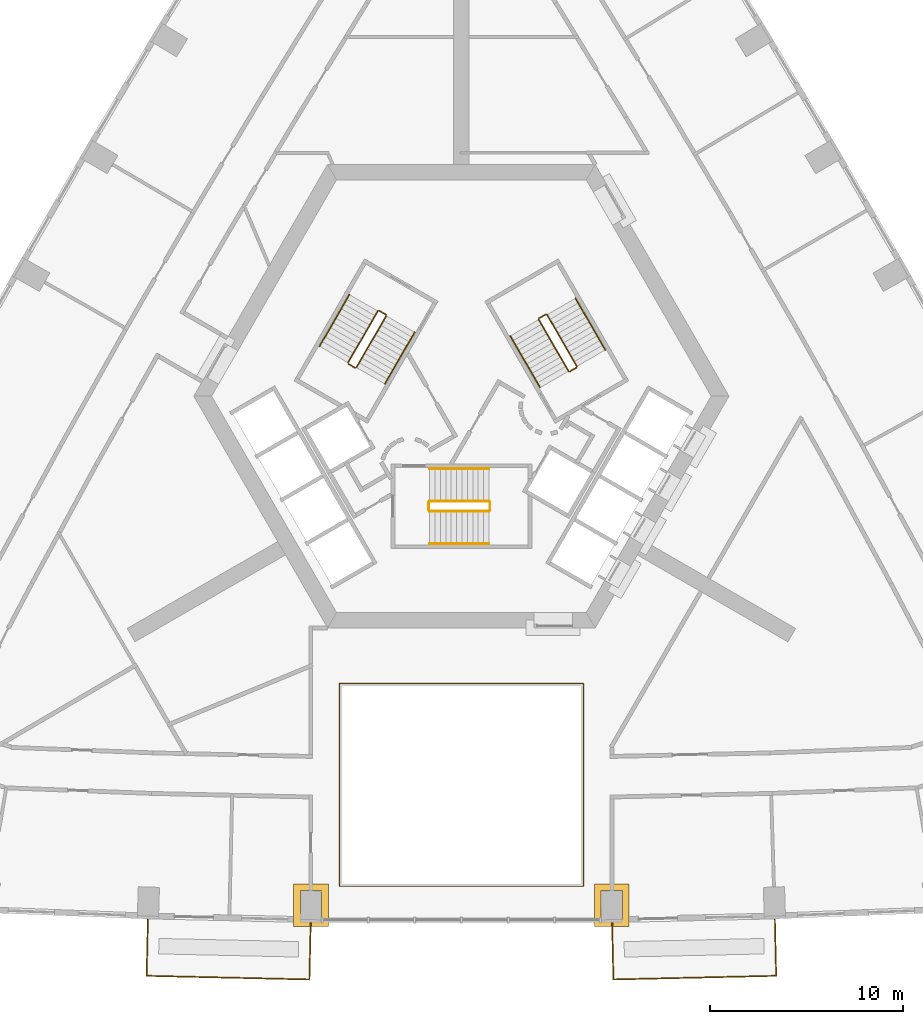
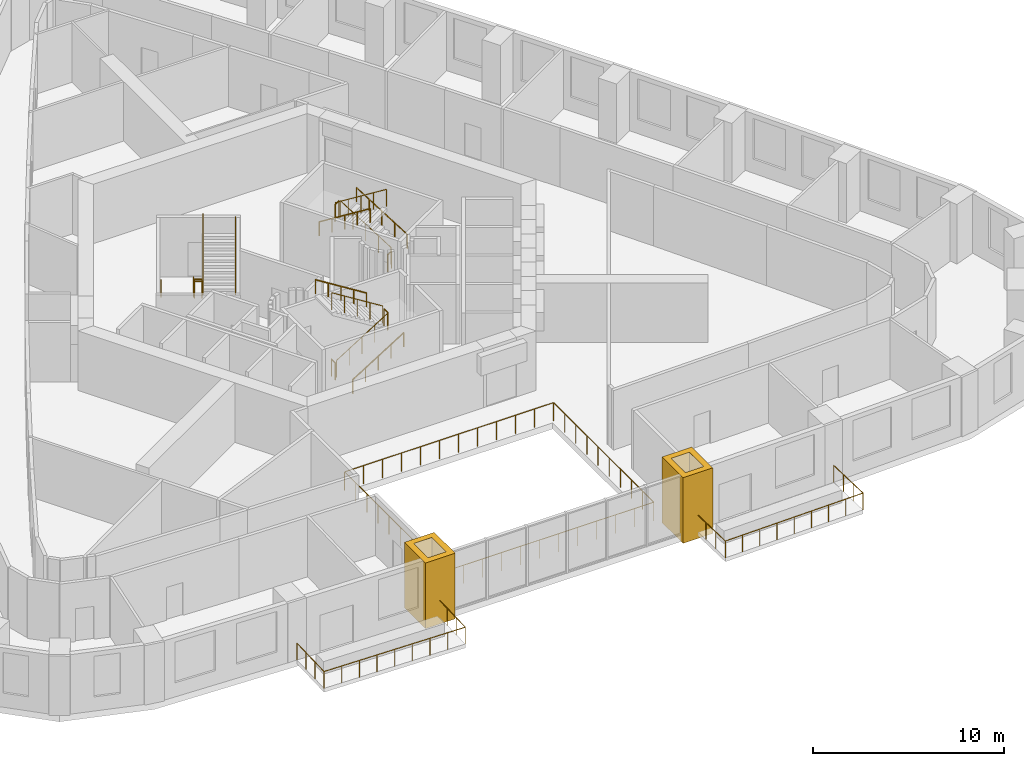
# One storey, part 12 of 12: 21 railings, 2 coverings.
"""IFC4 building model written with IfcOpenShell, lengths in metres."""

from ifc_helpers import new_model, si_unit, direction, frame, origin, origin_2d, place, context, subcontext, project, spatial, polyline, circle, outline, extrude, material, type_object, element, save


model = new_model("IFC4")

# Units and contexts
model_context = context("Model", 3, precision=1e-05, world=origin(), true_north=direction((0.0, 1.0)))
body_context = subcontext(model_context, "Body", "Model", "MODEL_VIEW")
ifc_project = project(units=[si_unit("LENGTHUNIT", "METRE"), si_unit("AREAUNIT", "SQUARE_METRE"), si_unit("VOLUMEUNIT", "CUBIC_METRE"), si_unit("PLANEANGLEUNIT", "RADIAN"), si_unit("MASSUNIT", "GRAM", prefix="KILO")], contexts=[model_context])

# Site, building, storey
site_placement = place(None, origin())
site = spatial("IfcSite", under=ifc_project, at=site_placement, CompositionType="ELEMENT")
building_placement = place(site_placement, origin())
building = spatial("IfcBuilding", under=site, at=building_placement, Name="Entoto Arch Interchange Tower", CompositionType="ELEMENT")
storey_placement = place(building_placement, frame((0.0, 0.0, 155.0)))
storey = spatial("IfcBuildingStorey", under=building, at=storey_placement, Name="L34", CompositionType="ELEMENT", Elevation=155.0)

# Railings
ifc_material_1 = material(Name="Stainless steel 1.4301", Category="steel")
railing_type_1 = type_object("IfcRailingType", Name="ATRIUM GUARD 1200 STEEL AND GLASS", PredefinedType="GUARDRAIL", material=ifc_material_1)
railing_1_placement = place(storey_placement, frame((6.320068359375, -22.876953125, 0.0)))
element("IfcRailing", 1, at=railing_1_placement, inside=storey, type_object=railing_type_1, Name="Atrium guard L34", PredefinedType="GUARDRAIL", context=body_context, shape_type="SweptSolid", body=[
    extrude(circle(Radius=0.02392578125, at=origin_2d()), frame((0.0, 0.0, 1.17578125), z_axis=(-1.0, 0.0, 0.0), x_axis=(0.0, -1.0, 0.0)), (0.0, 0.0, 1.0), 12.64013671875),
    extrude(circle(Radius=0.02392578125, at=origin_2d()), frame((-12.64013671875, 0.0, 1.17578125), z_axis=(0.0, 1.0, 0.0), x_axis=(-1.0, 0.0, 0.0)), (0.0, 0.0, 1.0), 10.4970703125),
    extrude(circle(Radius=0.02392578125, at=origin_2d()), frame((-12.64013671875, 10.4970703125, 1.17578125), z_axis=(1.0, 0.0, 0.0), x_axis=(0.0, 1.0, 0.0)), (0.0, 0.0, 1.0), 12.64013671875),
    extrude(circle(Radius=0.02392578125, at=origin_2d()), frame((0.0, 10.4970703125, 1.17578125), z_axis=(0.0, -1.0, 0.0), x_axis=(1.0, 0.0, 0.0)), (0.0, 0.0, 1.0), 10.4970703125),
    extrude(circle(Radius=0.02099609375, at=origin_2d()), origin(), (0.0, 0.0, 1.0), 1.15185546875),
    extrude(circle(Radius=0.02099609375, at=origin_2d()), frame((-1.149169921875, 0.0, 0.0)), (0.0, 0.0, 1.0), 1.15185546875),
    extrude(circle(Radius=0.02099609375, at=origin_2d()), frame((-2.298095703125, 0.0, 0.0)), (0.0, 0.0, 1.0), 1.15185546875),
    extrude(circle(Radius=0.02099609375, at=origin_2d()), frame((-3.447265625, 0.0, 0.0)), (0.0, 0.0, 1.0), 1.15185546875),
    extrude(circle(Radius=0.02099609375, at=origin_2d()), frame((-4.596435546875, 0.0, 0.0)), (0.0, 0.0, 1.0), 1.15185546875),
    extrude(circle(Radius=0.02099609375, at=origin_2d()), frame((-5.74560546875, 0.0, 0.0)), (0.0, 0.0, 1.0), 1.15185546875),
    extrude(circle(Radius=0.02099609375, at=origin_2d()), frame((-6.89453125, 0.0, 0.0)), (0.0, 0.0, 1.0), 1.15185546875),
    extrude(circle(Radius=0.02099609375, at=origin_2d()), frame((-8.043701171875, 0.0, 0.0)), (0.0, 0.0, 1.0), 1.15185546875),
    extrude(circle(Radius=0.02099609375, at=origin_2d()), frame((-9.19287109375, 0.0, 0.0)), (0.0, 0.0, 1.0), 1.15185546875),
    extrude(circle(Radius=0.02099609375, at=origin_2d()), frame((-10.342041015625, 0.0, 0.0)), (0.0, 0.0, 1.0), 1.15185546875),
    extrude(circle(Radius=0.02099609375, at=origin_2d()), frame((-11.490966796875, 0.0, 0.0)), (0.0, 0.0, 1.0), 1.15185546875),
    extrude(circle(Radius=0.02099609375, at=origin_2d()), frame((-12.64013671875, 0.0, 0.0)), (0.0, 0.0, 1.0), 1.15185546875),
    extrude(circle(Radius=0.02099609375, at=origin_2d()), frame((-12.64013671875, 1.166259765625, 0.0)), (0.0, 0.0, 1.0), 1.15185546875),
    extrude(circle(Radius=0.02099609375, at=origin_2d()), frame((-12.64013671875, 2.332763671875, 0.0)), (0.0, 0.0, 1.0), 1.15185546875),
    extrude(circle(Radius=0.02099609375, at=origin_2d()), frame((-12.64013671875, 3.4990234375, 0.0)), (0.0, 0.0, 1.0), 1.15185546875),
    extrude(circle(Radius=0.02099609375, at=origin_2d()), frame((-12.64013671875, 4.665283203125, 0.0)), (0.0, 0.0, 1.0), 1.15185546875),
    extrude(circle(Radius=0.02099609375, at=origin_2d()), frame((-12.64013671875, 5.831787109375, 0.0)), (0.0, 0.0, 1.0), 1.15185546875),
    extrude(circle(Radius=0.02099609375, at=origin_2d()), frame((-12.64013671875, 6.998046875, 0.0)), (0.0, 0.0, 1.0), 1.15185546875),
    extrude(circle(Radius=0.02099609375, at=origin_2d()), frame((-12.64013671875, 8.164306640625, 0.0)), (0.0, 0.0, 1.0), 1.15185546875),
    extrude(circle(Radius=0.02099609375, at=origin_2d()), frame((-12.64013671875, 9.330810546875, 0.0)), (0.0, 0.0, 1.0), 1.15185546875),
    extrude(circle(Radius=0.02099609375, at=origin_2d()), frame((-12.64013671875, 10.4970703125, 0.0)), (0.0, 0.0, 1.0), 1.15185546875),
    extrude(circle(Radius=0.02099609375, at=origin_2d()), frame((-11.490966796875, 10.4970703125, 0.0)), (0.0, 0.0, 1.0), 1.15185546875),
    extrude(circle(Radius=0.02099609375, at=origin_2d()), frame((-10.342041015625, 10.4970703125, 0.0)), (0.0, 0.0, 1.0), 1.15185546875),
    extrude(circle(Radius=0.02099609375, at=origin_2d()), frame((-9.19287109375, 10.4970703125, 0.0)), (0.0, 0.0, 1.0), 1.15185546875),
    extrude(circle(Radius=0.02099609375, at=origin_2d()), frame((-8.043701171875, 10.4970703125, 0.0)), (0.0, 0.0, 1.0), 1.15185546875),
    extrude(circle(Radius=0.02099609375, at=origin_2d()), frame((-6.89453125, 10.4970703125, 0.0)), (0.0, 0.0, 1.0), 1.15185546875),
    extrude(circle(Radius=0.02099609375, at=origin_2d()), frame((-5.74560546875, 10.4970703125, 0.0)), (0.0, 0.0, 1.0), 1.15185546875),
    extrude(circle(Radius=0.02099609375, at=origin_2d()), frame((-4.596435546875, 10.4970703125, 0.0)), (0.0, 0.0, 1.0), 1.15185546875),
    extrude(circle(Radius=0.02099609375, at=origin_2d()), frame((-3.447265625, 10.4970703125, 0.0)), (0.0, 0.0, 1.0), 1.15185546875),
    extrude(circle(Radius=0.02099609375, at=origin_2d()), frame((-2.298095703125, 10.4970703125, 0.0)), (0.0, 0.0, 1.0), 1.15185546875),
    extrude(circle(Radius=0.02099609375, at=origin_2d()), frame((-1.149169921875, 10.4970703125, 0.0)), (0.0, 0.0, 1.0), 1.15185546875),
    extrude(circle(Radius=0.02099609375, at=origin_2d()), frame((0.0, 10.4970703125, 0.0)), (0.0, 0.0, 1.0), 1.15185546875),
    extrude(circle(Radius=0.02099609375, at=origin_2d()), frame((0.0, 9.330810546875, 0.0)), (0.0, 0.0, 1.0), 1.15185546875),
    extrude(circle(Radius=0.02099609375, at=origin_2d()), frame((0.0, 8.164306640625, 0.0)), (0.0, 0.0, 1.0), 1.15185546875),
    extrude(circle(Radius=0.02099609375, at=origin_2d()), frame((0.0, 6.998046875, 0.0)), (0.0, 0.0, 1.0), 1.15185546875),
    extrude(circle(Radius=0.02099609375, at=origin_2d()), frame((0.0, 5.831787109375, 0.0)), (0.0, 0.0, 1.0), 1.15185546875),
    extrude(circle(Radius=0.02099609375, at=origin_2d()), frame((0.0, 4.665283203125, 0.0)), (0.0, 0.0, 1.0), 1.15185546875),
    extrude(circle(Radius=0.02099609375, at=origin_2d()), frame((0.0, 3.4990234375, 0.0)), (0.0, 0.0, 1.0), 1.15185546875),
    extrude(circle(Radius=0.02099609375, at=origin_2d()), frame((0.0, 2.332763671875, 0.0)), (0.0, 0.0, 1.0), 1.15185546875),
    extrude(circle(Radius=0.02099609375, at=origin_2d()), frame((0.0, 1.166259765625, 0.0)), (0.0, 0.0, 1.0), 1.15185546875),
])
railing_type_2 = type_object("IfcRailingType", Name="GUARD 1100 STEEL AND GLASS", PredefinedType="GUARDRAIL", material=ifc_material_1)
railing_2_placement = place(storey_placement, frame((-16.23388671875, -24.56591796875, 0.0)))
element("IfcRailing", 2, at=railing_2_placement, inside=storey, type_object=railing_type_2, Name="Balcony guard S-02 L34", PredefinedType="GUARDRAIL", context=body_context, shape_type="SweptSolid", body=[
    extrude(circle(Radius=0.02392578125, at=origin_2d()), frame((0.0, 0.0, 1.076171875), z_axis=(-0.022760887308, -0.999740937448, 0.0), x_axis=(0.999740937448, -0.022760887308, 0.0)), (0.0, 0.0, 1.0), 2.94970703125),
    extrude(circle(Radius=0.02392578125, at=origin_2d()), frame((-0.067138671875, -2.948974609375, 1.076171875), z_axis=(0.999743238029, -0.022659611978, 0.0), x_axis=(0.022659611978, 0.999743238029, 0.0)), (0.0, 0.0, 1.0), 8.436279296875),
    extrude(circle(Radius=0.02392578125, at=origin_2d()), frame((8.366943359375, -3.14013671875, 1.076171875), z_axis=(0.02267816309, 0.999742817388, 0.0), x_axis=(-0.999742817388, 0.02267816309, 0.0)), (0.0, 0.0, 1.0), 2.94970703125),
    extrude(circle(Radius=0.02099609375, at=origin_2d()), origin(), (0.0, 0.0, 1.0), 1.052001953125),
    extrude(circle(Radius=0.02099609375, at=origin_2d()), frame((-0.0224609375, -0.98291015625, 0.0)), (0.0, 0.0, 1.0), 1.052001953125),
    extrude(circle(Radius=0.02099609375, at=origin_2d()), frame((-0.044677734375, -1.966064453125, 0.0)), (0.0, 0.0, 1.0), 1.052001953125),
    extrude(circle(Radius=0.02099609375, at=origin_2d()), frame((-0.067138671875, -2.948974609375, 0.0)), (0.0, 0.0, 1.0), 1.052001953125),
    extrude(circle(Radius=0.02099609375, at=origin_2d()), frame((0.987060546875, -2.972900390625, 0.0)), (0.0, 0.0, 1.0), 1.052001953125),
    extrude(circle(Radius=0.02099609375, at=origin_2d()), frame((2.04150390625, -2.996826171875, 0.0)), (0.0, 0.0, 1.0), 1.052001953125),
    extrude(circle(Radius=0.02099609375, at=origin_2d()), frame((3.095703125, -3.020751953125, 0.0)), (0.0, 0.0, 1.0), 1.052001953125),
    extrude(circle(Radius=0.02099609375, at=origin_2d()), frame((4.14990234375, -3.04443359375, 0.0)), (0.0, 0.0, 1.0), 1.052001953125),
    extrude(circle(Radius=0.02099609375, at=origin_2d()), frame((5.2041015625, -3.068359375, 0.0)), (0.0, 0.0, 1.0), 1.052001953125),
    extrude(circle(Radius=0.02099609375, at=origin_2d()), frame((6.25830078125, -3.09228515625, 0.0)), (0.0, 0.0, 1.0), 1.052001953125),
    extrude(circle(Radius=0.02099609375, at=origin_2d()), frame((7.312744140625, -3.1162109375, 0.0)), (0.0, 0.0, 1.0), 1.052001953125),
    extrude(circle(Radius=0.02099609375, at=origin_2d()), frame((8.366943359375, -3.14013671875, 0.0)), (0.0, 0.0, 1.0), 1.052001953125),
    extrude(circle(Radius=0.02099609375, at=origin_2d()), frame((8.38916015625, -2.1572265625, 0.0)), (0.0, 0.0, 1.0), 1.052001953125),
    extrude(circle(Radius=0.02099609375, at=origin_2d()), frame((8.41162109375, -1.174072265625, 0.0)), (0.0, 0.0, 1.0), 1.052001953125),
    extrude(circle(Radius=0.02099609375, at=origin_2d()), frame((8.433837890625, -0.191162109375, 0.0)), (0.0, 0.0, 1.0), 1.052001953125),
])
railing_3_placement = place(storey_placement, frame((7.800048828125, -24.757080078125, 0.0)))
element("IfcRailing", 3, at=railing_3_placement, inside=storey, type_object=railing_type_2, Name="Balcony guard S-04 L34", PredefinedType="GUARDRAIL", context=body_context, shape_type="SweptSolid", body=[
    extrude(circle(Radius=0.02392578125, at=origin_2d()), frame((0.0, 0.0, 1.076171875), z_axis=(0.02267816309, -0.999742817388, 0.0), x_axis=(0.999742817388, 0.02267816309, 0.0)), (0.0, 0.0, 1.0), 2.94970703125),
    extrude(circle(Radius=0.02392578125, at=origin_2d()), frame((0.06689453125, -2.948974609375, 1.076171875), z_axis=(0.999743238029, 0.022659611978, 0.0), x_axis=(-0.022659611978, 0.999743238029, 0.0)), (0.0, 0.0, 1.0), 8.436279296875),
    extrude(circle(Radius=0.02392578125, at=origin_2d()), frame((8.5009765625, -2.7578125, 1.076171875), z_axis=(-0.022760887308, 0.999740937448, 0.0), x_axis=(-0.999740937448, -0.022760887308, 0.0)), (0.0, 0.0, 1.0), 2.94970703125),
    extrude(circle(Radius=0.02099609375, at=origin_2d()), origin(), (0.0, 0.0, 1.0), 1.052001953125),
    extrude(circle(Radius=0.02099609375, at=origin_2d()), frame((0.022216796875, -0.98291015625, 0.0)), (0.0, 0.0, 1.0), 1.052001953125),
    extrude(circle(Radius=0.02099609375, at=origin_2d()), frame((0.044677734375, -1.966064453125, 0.0)), (0.0, 0.0, 1.0), 1.052001953125),
    extrude(circle(Radius=0.02099609375, at=origin_2d()), frame((0.06689453125, -2.948974609375, 0.0)), (0.0, 0.0, 1.0), 1.052001953125),
    extrude(circle(Radius=0.02099609375, at=origin_2d()), frame((1.12109375, -2.925048828125, 0.0)), (0.0, 0.0, 1.0), 1.052001953125),
    extrude(circle(Radius=0.02099609375, at=origin_2d()), frame((2.17529296875, -2.901123046875, 0.0)), (0.0, 0.0, 1.0), 1.052001953125),
    extrude(circle(Radius=0.02099609375, at=origin_2d()), frame((3.229736328125, -2.877197265625, 0.0)), (0.0, 0.0, 1.0), 1.052001953125),
    extrude(circle(Radius=0.02099609375, at=origin_2d()), frame((4.283935546875, -2.853515625, 0.0)), (0.0, 0.0, 1.0), 1.052001953125),
    extrude(circle(Radius=0.02099609375, at=origin_2d()), frame((5.338134765625, -2.82958984375, 0.0)), (0.0, 0.0, 1.0), 1.052001953125),
    extrude(circle(Radius=0.02099609375, at=origin_2d()), frame((6.392578125, -2.8056640625, 0.0)), (0.0, 0.0, 1.0), 1.052001953125),
    extrude(circle(Radius=0.02099609375, at=origin_2d()), frame((7.44677734375, -2.78173828125, 0.0)), (0.0, 0.0, 1.0), 1.052001953125),
    extrude(circle(Radius=0.02099609375, at=origin_2d()), frame((8.5009765625, -2.7578125, 0.0)), (0.0, 0.0, 1.0), 1.052001953125),
    extrude(circle(Radius=0.02099609375, at=origin_2d()), frame((8.478515625, -1.77490234375, 0.0)), (0.0, 0.0, 1.0), 1.052001953125),
    extrude(circle(Radius=0.02099609375, at=origin_2d()), frame((8.456298828125, -0.791748046875, 0.0)), (0.0, 0.0, 1.0), 1.052001953125),
    extrude(circle(Radius=0.02099609375, at=origin_2d()), frame((8.433837890625, 0.191162109375, 0.0)), (0.0, 0.0, 1.0), 1.052001953125),
])

# Coverings
ifc_material_2 = material(Name="Board-marked precast concrete C50/60", Category="concrete")
covering_type = type_object("IfcCoveringType", Name="PRECAST FRAME COURSE", PredefinedType="CLADDING", material=ifc_material_2)
covering_1_placement = place(storey_placement, frame((0.0, 0.0, -0.39990234375)))
element("IfcCovering", 4, at=covering_1_placement, inside=storey, type_object=covering_type, Name="Gate pier L34", PredefinedType="CLADDING", context=body_context, shape_type="SweptSolid", body=[
    extrude(outline(polyline([(-8.68896484375, -22.757080078125), (-6.888916015625, -22.757080078125), (-6.888916015625, -24.95703125), (-8.68896484375, -24.95703125), (-8.68896484375, -22.757080078125)]), holes=[polyline([(-8.339111328125, -23.10693359375), (-8.339111328125, -24.60693359375), (-7.239013671875, -24.60693359375), (-7.239013671875, -23.10693359375), (-8.339111328125, -23.10693359375)])]), origin(), (0.0, 0.0, 1.0), 4.199951171875),
])
covering_2_placement = place(storey_placement, frame((0.0, 0.0, -0.39990234375)))
element("IfcCovering", 5, at=covering_2_placement, inside=storey, type_object=covering_type, Name="Gate pier L34", PredefinedType="CLADDING", context=body_context, shape_type="SweptSolid", body=[
    extrude(outline(polyline([(6.888916015625, -22.757080078125), (8.68896484375, -22.757080078125), (8.68896484375, -24.95703125), (6.888916015625, -24.95703125), (6.888916015625, -22.757080078125)]), holes=[polyline([(7.239013671875, -23.10693359375), (7.239013671875, -24.60693359375), (8.339111328125, -24.60693359375), (8.339111328125, -23.10693359375), (7.239013671875, -23.10693359375)])]), origin(), (0.0, 0.0, 1.0), 4.199951171875),
])

# Railings
railing_type_3 = type_object("IfcRailingType", Name="STAIR GUARD 1100 STEEL", PredefinedType="GUARDRAIL", material=ifc_material_1)
railing_4_placement = place(storey_placement, frame((-1.64990234375, -3.449951171875, 0.175048828125)))
element("IfcRailing", 6, at=railing_4_placement, inside=storey, type_object=railing_type_3, Name="L34 ST-S stair guard 1", PredefinedType="GUARDRAIL", context=body_context, shape_type="SweptSolid", body=[
    extrude(circle(Radius=0.02392578125, at=origin_2d()), frame((0.0, 0.0, 1.076171875), z_axis=(0.847979421464, 0.0, 0.530029150871), x_axis=(0.0, 1.0, 0.0)), (0.0, 0.0, 1.0), 3.632080078125),
    extrude(circle(Radius=0.02099609375, at=origin_2d()), origin(), (0.0, 0.0, 1.0), 1.052001953125),
    extrude(circle(Radius=0.02099609375, at=origin_2d()), frame((0.77001953125, 0.0, 0.481201171875)), (0.0, 0.0, 1.0), 1.052001953125),
    extrude(circle(Radius=0.02099609375, at=origin_2d()), frame((1.5400390625, 0.0, 0.96240234375)), (0.0, 0.0, 1.0), 1.052001953125),
    extrude(circle(Radius=0.02099609375, at=origin_2d()), frame((2.309814453125, 0.0, 1.44384765625)), (0.0, 0.0, 1.0), 1.052001953125),
    extrude(circle(Radius=0.02099609375, at=origin_2d()), frame((3.079833984375, 0.0, 1.925048828125)), (0.0, 0.0, 1.0), 1.052001953125),
])
railing_5_placement = place(storey_placement, frame((1.47998046875, -3.39990234375, 2.10009765625)))
element("IfcRailing", 7, at=railing_5_placement, inside=storey, type_object=railing_type_3, Name="L34 ST-S stair guard 2", PredefinedType="GUARDRAIL", context=body_context, shape_type="SweptSolid", body=[
    extrude(circle(Radius=0.02392578125, at=origin_2d()), frame((0.0, 0.0, 1.076171875), z_axis=(0.0, 1.0, 0.0), x_axis=(-1.0, 0.0, 0.0)), (0.0, 0.0, 1.0), 0.39990234375),
    extrude(circle(Radius=0.02099609375, at=origin_2d()), origin(), (0.0, 0.0, 1.0), 1.052001953125),
    extrude(circle(Radius=0.02099609375, at=origin_2d()), frame((0.0, 0.39990234375, 0.0)), (0.0, 0.0, 1.0), 1.052001953125),
])
railing_6_placement = place(storey_placement, frame((1.429931640625, -2.949951171875, 2.27490234375)))
element("IfcRailing", 8, at=railing_6_placement, inside=storey, type_object=railing_type_3, Name="L34 ST-S stair guard 3", PredefinedType="GUARDRAIL", context=body_context, shape_type="SweptSolid", body=[
    extrude(circle(Radius=0.02392578125, at=origin_2d()), frame((0.0, 0.0, 1.076171875), z_axis=(-0.847979421464, 0.0, 0.530029150871), x_axis=(0.0, -1.0, 0.0)), (0.0, 0.0, 1.0), 3.632080078125),
    extrude(circle(Radius=0.02099609375, at=origin_2d()), origin(), (0.0, 0.0, 1.0), 1.052001953125),
    extrude(circle(Radius=0.02099609375, at=origin_2d()), frame((-0.77001953125, 0.0, 0.481201171875)), (0.0, 0.0, 1.0), 1.052001953125),
    extrude(circle(Radius=0.02099609375, at=origin_2d()), frame((-1.5400390625, 0.0, 0.96240234375)), (0.0, 0.0, 1.0), 1.052001953125),
    extrude(circle(Radius=0.02099609375, at=origin_2d()), frame((-2.309814453125, 0.0, 1.44384765625)), (0.0, 0.0, 1.0), 1.052001953125),
    extrude(circle(Radius=0.02099609375, at=origin_2d()), frame((-3.079833984375, 0.0, 1.925048828125)), (0.0, 0.0, 1.0), 1.052001953125),
])
railing_7_placement = place(storey_placement, frame((-1.699951171875, -3.39990234375, 0.0)))
element("IfcRailing", 9, at=railing_7_placement, inside=storey, type_object=railing_type_3, Name="L34 ST-S stair guard 4", PredefinedType="GUARDRAIL", context=body_context, shape_type="SweptSolid", body=[
    extrude(circle(Radius=0.02392578125, at=origin_2d()), frame((0.0, 0.0, 1.076171875), z_axis=(0.0, 1.0, 0.0), x_axis=(-1.0, 0.0, 0.0)), (0.0, 0.0, 1.0), 0.39990234375),
    extrude(circle(Radius=0.02099609375, at=origin_2d()), origin(), (0.0, 0.0, 1.0), 1.052001953125),
    extrude(circle(Radius=0.02099609375, at=origin_2d()), frame((0.0, 0.39990234375, 0.0)), (0.0, 0.0, 1.0), 1.052001953125),
])
railing_8_placement = place(storey_placement, frame((5.977783203125, 4.046142578125, 0.175048828125)))
element("IfcRailing", 10, at=railing_8_placement, inside=storey, type_object=railing_type_3, Name="L34 ST-NE stair guard 1", PredefinedType="GUARDRAIL", context=body_context, shape_type="SweptSolid", body=[
    extrude(circle(Radius=0.02392578125, at=origin_2d()), frame((0.0, 0.0, 1.076171875), z_axis=(-0.424015404183, 0.734364028329, 0.530019255228), x_axis=(-0.866010015463, -0.500026652407, 0.0)), (0.0, 0.0, 1.0), 3.632080078125),
    extrude(circle(Radius=0.02099609375, at=origin_2d()), origin(), (0.0, 0.0, 1.0), 1.052001953125),
    extrude(circle(Radius=0.02099609375, at=origin_2d()), frame((-0.385009765625, 0.666748046875, 0.481201171875)), (0.0, 0.0, 1.0), 1.052001953125),
    extrude(circle(Radius=0.02099609375, at=origin_2d()), frame((-0.77001953125, 1.33349609375, 0.96240234375)), (0.0, 0.0, 1.0), 1.052001953125),
    extrude(circle(Radius=0.02099609375, at=origin_2d()), frame((-1.155029296875, 2.00048828125, 1.44384765625)), (0.0, 0.0, 1.0), 1.052001953125),
    extrude(circle(Radius=0.02099609375, at=origin_2d()), frame((-1.5400390625, 2.667236328125, 1.925048828125)), (0.0, 0.0, 1.0), 1.052001953125),
])
railing_9_placement = place(storey_placement, frame((4.36962890625, 6.731689453125, 2.10009765625)))
element("IfcRailing", 11, at=railing_9_placement, inside=storey, type_object=railing_type_3, Name="L34 ST-NE stair guard 2", PredefinedType="GUARDRAIL", context=body_context, shape_type="SweptSolid", body=[
    extrude(circle(Radius=0.02392578125, at=origin_2d()), frame((0.0, 0.0, 1.076171875), z_axis=(-0.866094119867, -0.499880961361, 0.0), x_axis=(0.499880961361, -0.866094119867, 0.0)), (0.0, 0.0, 1.0), 0.39990234375),
    extrude(circle(Radius=0.02099609375, at=origin_2d()), origin(), (0.0, 0.0, 1.0), 1.052001953125),
    extrude(circle(Radius=0.02099609375, at=origin_2d()), frame((-0.346435546875, -0.199951171875, 0.0)), (0.0, 0.0, 1.0), 1.052001953125),
])
railing_10_placement = place(storey_placement, frame((4.0048828125, 6.46337890625, 2.27490234375)))
element("IfcRailing", 12, at=railing_10_placement, inside=storey, type_object=railing_type_3, Name="L34 ST-NE stair guard 3", PredefinedType="GUARDRAIL", context=body_context, shape_type="SweptSolid", body=[
    extrude(circle(Radius=0.02392578125, at=origin_2d()), frame((0.0, 0.0, 1.076171875), z_axis=(0.424015404183, -0.734364028329, 0.530019255228), x_axis=(0.866010015463, 0.500026652407, 0.0)), (0.0, 0.0, 1.0), 3.632080078125),
    extrude(circle(Radius=0.02099609375, at=origin_2d()), origin(), (0.0, 0.0, 1.0), 1.052001953125),
    extrude(circle(Radius=0.02099609375, at=origin_2d()), frame((0.385009765625, -0.666748046875, 0.481201171875)), (0.0, 0.0, 1.0), 1.052001953125),
    extrude(circle(Radius=0.02099609375, at=origin_2d()), frame((0.77001953125, -1.33349609375, 0.96240234375)), (0.0, 0.0, 1.0), 1.052001953125),
    extrude(circle(Radius=0.02099609375, at=origin_2d()), frame((1.155029296875, -2.00048828125, 1.44384765625)), (0.0, 0.0, 1.0), 1.052001953125),
    extrude(circle(Radius=0.02099609375, at=origin_2d()), frame((1.5400390625, -2.667236328125, 1.925048828125)), (0.0, 0.0, 1.0), 1.052001953125),
])
railing_11_placement = place(storey_placement, frame((5.95947265625, 3.977783203125, 0.0)))
element("IfcRailing", 13, at=railing_11_placement, inside=storey, type_object=railing_type_3, Name="L34 ST-NE stair guard 4", PredefinedType="GUARDRAIL", context=body_context, shape_type="SweptSolid", body=[
    extrude(circle(Radius=0.02392578125, at=origin_2d()), frame((0.0, 0.0, 1.076171875), z_axis=(-0.866094119867, -0.499880961361, 0.0), x_axis=(0.499880961361, -0.866094119867, 0.0)), (0.0, 0.0, 1.0), 0.39990234375),
    extrude(circle(Radius=0.02099609375, at=origin_2d()), origin(), (0.0, 0.0, 1.0), 1.052001953125),
    extrude(circle(Radius=0.02099609375, at=origin_2d()), frame((-0.346435546875, -0.199951171875, 0.0)), (0.0, 0.0, 1.0), 1.052001953125),
])
railing_12_placement = place(storey_placement, frame((-4.327880859375, 6.904052734375, 0.175048828125)))
element("IfcRailing", 14, at=railing_12_placement, inside=storey, type_object=railing_type_3, Name="L34 ST-NW stair guard 1", PredefinedType="GUARDRAIL", context=body_context, shape_type="SweptSolid", body=[
    extrude(circle(Radius=0.02392578125, at=origin_2d()), frame((0.0, 0.0, 1.076171875), z_axis=(-0.423994474112, -0.734394994316, 0.52999309264), x_axis=(0.866029832698, -0.499992328818, 0.0)), (0.0, 0.0, 1.0), 3.63232421875),
    extrude(circle(Radius=0.02099609375, at=origin_2d()), origin(), (0.0, 0.0, 1.0), 1.052001953125),
    extrude(circle(Radius=0.02099609375, at=origin_2d()), frame((-0.385009765625, -0.6669921875, 0.481201171875)), (0.0, 0.0, 1.0), 1.052001953125),
    extrude(circle(Radius=0.02099609375, at=origin_2d()), frame((-0.77001953125, -1.333740234375, 0.96240234375)), (0.0, 0.0, 1.0), 1.052001953125),
    extrude(circle(Radius=0.02099609375, at=origin_2d()), frame((-1.155029296875, -2.00048828125, 1.44384765625)), (0.0, 0.0, 1.0), 1.052001953125),
    extrude(circle(Radius=0.02099609375, at=origin_2d()), frame((-1.5400390625, -2.66748046875, 1.925048828125)), (0.0, 0.0, 1.0), 1.052001953125),
])
railing_13_placement = place(storey_placement, frame((-5.849609375, 4.168212890625, 2.10009765625)))
element("IfcRailing", 15, at=railing_13_placement, inside=storey, type_object=railing_type_3, Name="L34 ST-NW stair guard 2", PredefinedType="GUARDRAIL", context=body_context, shape_type="SweptSolid", body=[
    extrude(circle(Radius=0.02392578125, at=origin_2d()), frame((0.0, 0.0, 1.076171875), z_axis=(0.866094119867, -0.499880961361, 0.0), x_axis=(0.499880961361, 0.866094119867, 0.0)), (0.0, 0.0, 1.0), 0.39990234375),
    extrude(circle(Radius=0.02099609375, at=origin_2d()), origin(), (0.0, 0.0, 1.0), 1.052001953125),
    extrude(circle(Radius=0.02099609375, at=origin_2d()), frame((0.346435546875, -0.199951171875, 0.0)), (0.0, 0.0, 1.0), 1.052001953125),
])
railing_14_placement = place(storey_placement, frame((-5.434814453125, 3.986572265625, 2.27490234375)))
element("IfcRailing", 16, at=railing_14_placement, inside=storey, type_object=railing_type_3, Name="L34 ST-NW stair guard 3", PredefinedType="GUARDRAIL", context=body_context, shape_type="SweptSolid", body=[
    extrude(circle(Radius=0.02392578125, at=origin_2d()), frame((0.0, 0.0, 1.076171875), z_axis=(0.423994474112, 0.734394994316, 0.52999309264), x_axis=(-0.866029832698, 0.499992328818, 0.0)), (0.0, 0.0, 1.0), 3.63232421875),
    extrude(circle(Radius=0.02099609375, at=origin_2d()), origin(), (0.0, 0.0, 1.0), 1.052001953125),
    extrude(circle(Radius=0.02099609375, at=origin_2d()), frame((0.385009765625, 0.6669921875, 0.481201171875)), (0.0, 0.0, 1.0), 1.052001953125),
    extrude(circle(Radius=0.02099609375, at=origin_2d()), frame((0.77001953125, 1.333740234375, 0.96240234375)), (0.0, 0.0, 1.0), 1.052001953125),
    extrude(circle(Radius=0.02099609375, at=origin_2d()), frame((1.155029296875, 2.00048828125, 1.44384765625)), (0.0, 0.0, 1.0), 1.052001953125),
    extrude(circle(Radius=0.02099609375, at=origin_2d()), frame((1.5400390625, 2.66748046875, 1.925048828125)), (0.0, 0.0, 1.0), 1.052001953125),
])
railing_15_placement = place(storey_placement, frame((-4.259521484375, 6.92236328125, 0.0)))
element("IfcRailing", 17, at=railing_15_placement, inside=storey, type_object=railing_type_3, Name="L34 ST-NW stair guard 4", PredefinedType="GUARDRAIL", context=body_context, shape_type="SweptSolid", body=[
    extrude(circle(Radius=0.02392578125, at=origin_2d()), frame((0.0, 0.0, 1.076171875), z_axis=(0.865829829939, -0.500338590944, 0.0), x_axis=(0.500338590944, 0.865829829939, 0.0)), (0.0, 0.0, 1.0), 0.400146484375),
    extrude(circle(Radius=0.02099609375, at=origin_2d()), origin(), (0.0, 0.0, 1.0), 1.052001953125),
    extrude(circle(Radius=0.02099609375, at=origin_2d()), frame((0.346435546875, -0.2001953125, 0.0)), (0.0, 0.0, 1.0), 1.052001953125),
])
railing_type_4 = type_object("IfcRailingType", Name="STAIR HANDRAIL 900 STEEL", PredefinedType="HANDRAIL", material=ifc_material_1)
railing_16_placement = place(storey_placement, frame((-1.64990234375, -5.14990234375, 0.175048828125)))
element("IfcRailing", 18, at=railing_16_placement, inside=storey, type_object=railing_type_4, Name="L34 ST-S stair handrail 1", PredefinedType="HANDRAIL", context=body_context, shape_type="SweptSolid", body=[
    extrude(circle(Radius=0.02392578125, at=origin_2d()), frame((0.0, 0.0, 0.8759765625), z_axis=(0.847979421464, 0.0, 0.530029150871), x_axis=(0.0, 1.0, 0.0)), (0.0, 0.0, 1.0), 3.632080078125),
    extrude(circle(Radius=0.02099609375, at=origin_2d()), origin(), (0.0, 0.0, 1.0), 0.851806640625),
    extrude(circle(Radius=0.02099609375, at=origin_2d()), frame((0.77001953125, 0.0, 0.481201171875)), (0.0, 0.0, 1.0), 0.851806640625),
    extrude(circle(Radius=0.02099609375, at=origin_2d()), frame((1.5400390625, 0.0, 0.96240234375)), (0.0, 0.0, 1.0), 0.851806640625),
    extrude(circle(Radius=0.02099609375, at=origin_2d()), frame((2.309814453125, 0.0, 1.44384765625)), (0.0, 0.0, 1.0), 0.851806640625),
    extrude(circle(Radius=0.02099609375, at=origin_2d()), frame((3.079833984375, 0.0, 1.925048828125)), (0.0, 0.0, 1.0), 0.851806640625),
])
railing_17_placement = place(storey_placement, frame((1.429931640625, -1.25, 2.27490234375)))
element("IfcRailing", 19, at=railing_17_placement, inside=storey, type_object=railing_type_4, Name="L34 ST-S stair handrail 2", PredefinedType="HANDRAIL", context=body_context, shape_type="SweptSolid", body=[
    extrude(circle(Radius=0.02392578125, at=origin_2d()), frame((0.0, 0.0, 0.8759765625), z_axis=(-0.847979421464, 0.0, 0.530029150871), x_axis=(0.0, -1.0, 0.0)), (0.0, 0.0, 1.0), 3.632080078125),
    extrude(circle(Radius=0.02099609375, at=origin_2d()), origin(), (0.0, 0.0, 1.0), 0.851806640625),
    extrude(circle(Radius=0.02099609375, at=origin_2d()), frame((-0.77001953125, 0.0, 0.481201171875)), (0.0, 0.0, 1.0), 0.851806640625),
    extrude(circle(Radius=0.02099609375, at=origin_2d()), frame((-1.5400390625, 0.0, 0.96240234375)), (0.0, 0.0, 1.0), 0.851806640625),
    extrude(circle(Radius=0.02099609375, at=origin_2d()), frame((-2.309814453125, 0.0, 1.44384765625)), (0.0, 0.0, 1.0), 0.851806640625),
    extrude(circle(Radius=0.02099609375, at=origin_2d()), frame((-3.079833984375, 0.0, 1.925048828125)), (0.0, 0.0, 1.0), 0.851806640625),
])
railing_18_placement = place(storey_placement, frame((7.4501953125, 4.89599609375, 0.175048828125)))
element("IfcRailing", 20, at=railing_18_placement, inside=storey, type_object=railing_type_4, Name="L34 ST-NE stair handrail 1", PredefinedType="HANDRAIL", context=body_context, shape_type="SweptSolid", body=[
    extrude(circle(Radius=0.02392578125, at=origin_2d()), frame((0.0, 0.0, 0.8759765625), z_axis=(-0.423994474112, 0.734394994316, 0.52999309264), x_axis=(-0.866029832698, -0.499992328818, 0.0)), (0.0, 0.0, 1.0), 3.63232421875),
    extrude(circle(Radius=0.02099609375, at=origin_2d()), origin(), (0.0, 0.0, 1.0), 0.851806640625),
    extrude(circle(Radius=0.02099609375, at=origin_2d()), frame((-0.385009765625, 0.6669921875, 0.481201171875)), (0.0, 0.0, 1.0), 0.851806640625),
    extrude(circle(Radius=0.02099609375, at=origin_2d()), frame((-0.77001953125, 1.333740234375, 0.96240234375)), (0.0, 0.0, 1.0), 0.851806640625),
    extrude(circle(Radius=0.02099609375, at=origin_2d()), frame((-1.155029296875, 2.00048828125, 1.44384765625)), (0.0, 0.0, 1.0), 0.851806640625),
    extrude(circle(Radius=0.02099609375, at=origin_2d()), frame((-1.5400390625, 2.66748046875, 1.925048828125)), (0.0, 0.0, 1.0), 0.851806640625),
])
railing_19_placement = place(storey_placement, frame((2.53271484375, 5.613525390625, 2.27490234375)))
element("IfcRailing", 21, at=railing_19_placement, inside=storey, type_object=railing_type_4, Name="L34 ST-NE stair handrail 2", PredefinedType="HANDRAIL", context=body_context, shape_type="SweptSolid", body=[
    extrude(circle(Radius=0.02392578125, at=origin_2d()), frame((0.0, 0.0, 0.8759765625), z_axis=(0.423939339791, -0.734415923031, 0.53000819633), x_axis=(0.866064153644, 0.499932877268, 0.0)), (0.0, 0.0, 1.0), 3.632080078125),
    extrude(circle(Radius=0.02099609375, at=origin_2d()), origin(), (0.0, 0.0, 1.0), 0.851806640625),
    extrude(circle(Radius=0.02099609375, at=origin_2d()), frame((0.385009765625, -0.6669921875, 0.481201171875)), (0.0, 0.0, 1.0), 0.851806640625),
    extrude(circle(Radius=0.02099609375, at=origin_2d()), frame((0.77001953125, -1.333740234375, 0.96240234375)), (0.0, 0.0, 1.0), 0.851806640625),
    extrude(circle(Radius=0.02099609375, at=origin_2d()), frame((1.15478515625, -2.00048828125, 1.44384765625)), (0.0, 0.0, 1.0), 0.851806640625),
    extrude(circle(Radius=0.02099609375, at=origin_2d()), frame((1.539794921875, -2.66748046875, 1.925048828125)), (0.0, 0.0, 1.0), 0.851806640625),
])
railing_20_placement = place(storey_placement, frame((-5.800048828125, 7.75390625, 0.175048828125)))
element("IfcRailing", 22, at=railing_20_placement, inside=storey, type_object=railing_type_4, Name="L34 ST-NW stair handrail 1", PredefinedType="HANDRAIL", context=body_context, shape_type="SweptSolid", body=[
    extrude(circle(Radius=0.02392578125, at=origin_2d()), frame((0.0, 0.0, 0.8759765625), z_axis=(-0.424015404183, -0.734364028329, 0.530019255228), x_axis=(0.866010015463, -0.500026652407, 0.0)), (0.0, 0.0, 1.0), 3.632080078125),
    extrude(circle(Radius=0.02099609375, at=origin_2d()), origin(), (0.0, 0.0, 1.0), 0.851806640625),
    extrude(circle(Radius=0.02099609375, at=origin_2d()), frame((-0.385009765625, -0.666748046875, 0.481201171875)), (0.0, 0.0, 1.0), 0.851806640625),
    extrude(circle(Radius=0.02099609375, at=origin_2d()), frame((-0.77001953125, -1.33349609375, 0.96240234375)), (0.0, 0.0, 1.0), 0.851806640625),
    extrude(circle(Radius=0.02099609375, at=origin_2d()), frame((-1.155029296875, -2.00048828125, 1.44384765625)), (0.0, 0.0, 1.0), 0.851806640625),
    extrude(circle(Radius=0.02099609375, at=origin_2d()), frame((-1.5400390625, -2.667236328125, 1.925048828125)), (0.0, 0.0, 1.0), 0.851806640625),
])
railing_21_placement = place(storey_placement, frame((-3.962646484375, 3.136474609375, 2.27490234375)))
element("IfcRailing", 23, at=railing_21_placement, inside=storey, type_object=railing_type_4, Name="L34 ST-NW stair handrail 2", PredefinedType="HANDRAIL", context=body_context, shape_type="SweptSolid", body=[
    extrude(circle(Radius=0.02392578125, at=origin_2d()), frame((0.0, 0.0, 0.8759765625), z_axis=(0.423994474112, 0.734394994316, 0.52999309264), x_axis=(-0.866029832698, 0.499992328818, 0.0)), (0.0, 0.0, 1.0), 3.63232421875),
    extrude(circle(Radius=0.02099609375, at=origin_2d()), origin(), (0.0, 0.0, 1.0), 0.851806640625),
    extrude(circle(Radius=0.02099609375, at=origin_2d()), frame((0.385009765625, 0.6669921875, 0.481201171875)), (0.0, 0.0, 1.0), 0.851806640625),
    extrude(circle(Radius=0.02099609375, at=origin_2d()), frame((0.77001953125, 1.333740234375, 0.96240234375)), (0.0, 0.0, 1.0), 0.851806640625),
    extrude(circle(Radius=0.02099609375, at=origin_2d()), frame((1.155029296875, 2.00048828125, 1.44384765625)), (0.0, 0.0, 1.0), 0.851806640625),
    extrude(circle(Radius=0.02099609375, at=origin_2d()), frame((1.5400390625, 2.66748046875, 1.925048828125)), (0.0, 0.0, 1.0), 0.851806640625),
])

save(model, "model.ifc")
